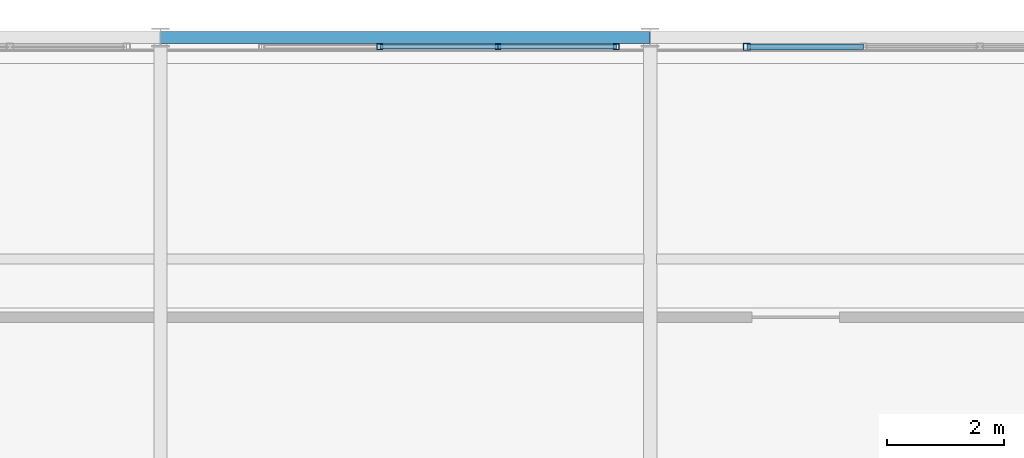
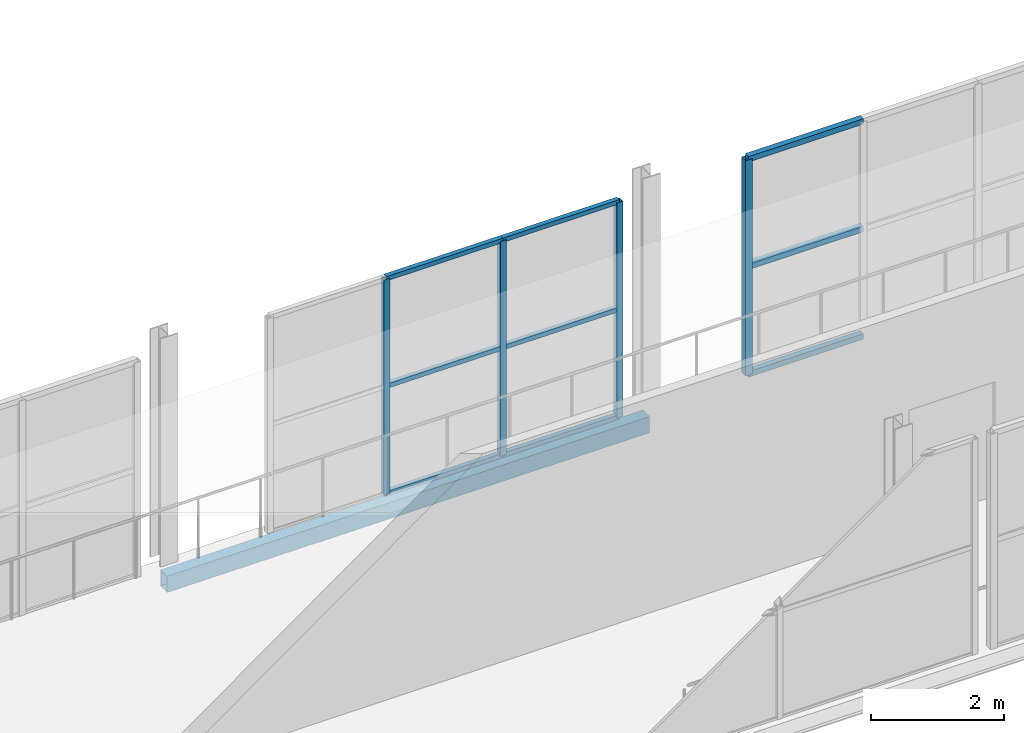
# One storey, part 66 of 151: 13 members, 1 beam, 2 elements without a shape of their own.
"""IFC4 building model written with IfcOpenShell, lengths in metres."""

import ifcopenshell
import ifcopenshell.guid

model = None  # the IFC model being written
_history = None  # IfcOwnerHistory: only IFC2X3 demands one
_inside = {}  # id of a spatial element -> (the spatial element, [elements in it])
_under = {}  # id of a project, library or spatial element -> (it, [spatial elements below it])
_declared = {}  # id of a project -> (the project, [libraries it declares])
_typed = {}  # id of a type object -> (the type object, [elements of that type])
_made_of = {}  # id of a material, layer set ... -> (it, [elements and type objects made of it])


def new_model(schema):
    """Start an empty IFC model of exactly this schema.

    Asked for "IFC4X3", IfcOpenShell would pick the latest addendum, in which some entities
    have other attributes; the version numbers below select the first issue.
    IFC2X3 requires an IfcOwnerHistory on every rooted entity: one is made here for all.
    """
    global model, _history
    if schema == "IFC4X3":
        model = ifcopenshell.file(schema_version=(4, 3, 0, 0))
    else:
        model = ifcopenshell.file(schema=schema)
    _inside.clear()
    _under.clear()
    _declared.clear()
    _typed.clear()
    _made_of.clear()
    _history = None
    if model.schema == "IFC2X3":
        org = make("IfcOrganization", Name="unknown")
        user = make(
            "IfcPersonAndOrganization",
            ThePerson=make("IfcPerson", FamilyName="unknown"),
            TheOrganization=org,
        )
        app = make(
            "IfcApplication",
            ApplicationDeveloper=org,
            Version="unknown",
            ApplicationFullName="unknown",
            ApplicationIdentifier="unknown",
        )
        _history = make(
            "IfcOwnerHistory",
            OwningUser=user,
            OwningApplication=app,
            ChangeAction="ADDED",
            CreationDate=0,
        )
    return model


def make(cls, **values):
    """One entity of the class cls with the attributes given. An attribute that is None is left unset."""
    return model.create_entity(
        cls, **{name: value for name, value in values.items() if value is not None}
    )


def rooted(cls, **values):
    """An entity with a GlobalId (a new one), such as an element, a storey or a relation."""
    return make(cls, GlobalId=ifcopenshell.guid.new(), OwnerHistory=_history, **values)


def si_unit(unit_type, name, prefix=None):
    """IfcSIUnit, for example si_unit("LENGTHUNIT", "METRE", prefix="MILLI")."""
    return make("IfcSIUnit", UnitType=unit_type, Prefix=prefix, Name=name)


def assignment(units):
    """IfcUnitAssignment: the units of a project."""
    return None if units is None else make("IfcUnitAssignment", Units=units)


def point(xyz):
    """IfcCartesianPoint."""
    return None if xyz is None else make("IfcCartesianPoint", Coordinates=xyz)


def direction(xyz):
    """IfcDirection."""
    return None if xyz is None else make("IfcDirection", DirectionRatios=xyz)


def frame(location, z_axis=None, x_axis=None):
    """IfcAxis2Placement3D, a coordinate frame: its origin and axes. An axis left out is left unset."""
    return make(
        "IfcAxis2Placement3D",
        Location=point(location),
        Axis=direction(z_axis),
        RefDirection=direction(x_axis),
    )


def frame_2d(location, x_axis=None):
    """IfcAxis2Placement2D, a coordinate frame in the plane: its origin and x axis."""
    return make(
        "IfcAxis2Placement2D", Location=point(location), RefDirection=direction(x_axis)
    )


def origin():
    """The frame at (0, 0, 0) with its axes left unset."""
    return frame((0.0, 0.0, 0.0))


def origin_2d():
    """The frame at (0, 0) in the plane with its x axis left unset."""
    return frame_2d((0.0, 0.0))


def place(relative_to, where):
    """IfcLocalPlacement: puts the frame where relative to a parent placement (None: the world)."""
    return make(
        "IfcLocalPlacement", PlacementRelTo=relative_to, RelativePlacement=where
    )


def context(
    kind, dimensions, precision=None, world=None, true_north=None, identifier=None
):
    """IfcGeometricRepresentationContext, for example the 3D "Model" context."""
    return make(
        "IfcGeometricRepresentationContext",
        ContextIdentifier=identifier,
        ContextType=kind,
        CoordinateSpaceDimension=dimensions,
        Precision=precision,
        WorldCoordinateSystem=world,
        TrueNorth=true_north,
    )


def subcontext(parent, identifier, kind, view, scale=None):
    """IfcGeometricRepresentationSubContext, for example "Body" below "Model"."""
    return make(
        "IfcGeometricRepresentationSubContext",
        ContextIdentifier=identifier,
        ContextType=kind,
        ParentContext=parent,
        TargetScale=scale,
        TargetView=view,
    )


def project(units=None, contexts=None):
    """IfcProject with its units and contexts."""
    return rooted(
        "IfcProject",
        Name="project",
        RepresentationContexts=contexts,
        UnitsInContext=assignment(units),
    )


def spatial(cls, under=None, at=None, **own):
    """A site, building, storey or space (cls), placed at a placement, below another one or the project."""
    s = rooted(cls, ObjectPlacement=at, **own)
    if under is not None:
        _under.setdefault(under.id(), (under, []))[1].append(s)
    return s


def profile(cls, at=None, kind="AREA", **sizes):
    """A parametric profile (cls). Its sizes go by their IFC names, for example OverallWidth=200.0."""
    return make(cls, ProfileType=kind, Position=at, **sizes)


def hollow_rectangle(**sizes):
    """IfcRectangleHollowProfileDef."""
    return profile("IfcRectangleHollowProfileDef", **sizes)


def extrude(swept, where, along, depth):
    """IfcExtrudedAreaSolid: the profile swept, set in the frame where, extruded along a direction by depth."""
    return make(
        "IfcExtrudedAreaSolid",
        SweptArea=swept,
        Position=where,
        ExtrudedDirection=direction(along),
        Depth=depth,
    )


def shape(context_of_items, identifier, shape_type, items):
    """IfcShapeRepresentation: the items that make up one representation, for example the "Body"."""
    return make(
        "IfcShapeRepresentation",
        ContextOfItems=context_of_items,
        RepresentationIdentifier=identifier,
        RepresentationType=shape_type,
        Items=items,
    )


def material(Name=None, Category=None):
    """IfcMaterial."""
    return make("IfcMaterial", Name=Name, Category=Category)


def material_profile(
    of_material, cross_section, Name=None, Category=None, Priority=None
):
    """IfcMaterialProfile: a cross section and its material."""
    return make(
        "IfcMaterialProfile",
        Name=Name,
        Material=of_material,
        Profile=cross_section,
        Priority=Priority,
        Category=Category,
    )


def profile_set(profiles, Name=None, composite=None):
    """IfcMaterialProfileSet."""
    return make(
        "IfcMaterialProfileSet",
        Name=Name,
        MaterialProfiles=profiles,
        CompositeProfile=composite,
    )


def made_of(thing, what):
    """Note that an element or type object is made of a material, layer set ...; save() writes the relation."""
    if what is not None:
        _made_of.setdefault(what.id(), (what, []))[1].append(thing)
    return thing


def type_object(cls, material=None, **own):
    """A type object (cls), such as IfcWallType, which elements share."""
    return made_of(rooted(cls, **own), material)


def element(
    cls,
    number,
    at=None,
    inside=None,
    cuts=None,
    type_object=None,
    material=None,
    context=None,
    identifier="Body",
    shape_type=None,
    held_by="IfcProductDefinitionShape",
    body=None,
    shapes=None,
    **own,
):
    """One element of the class cls, such as IfcWall. Its Tag is "e" and its number.

    at: its placement. inside: the storey or other place that contains it. cuts: it is an
    opening in that element (IfcRelVoidsElement). A single representation is given by context,
    identifier, shape_type and body (its items); several are given by shapes. held_by: the class
    of the entity that holds the representations. save() writes the other relations.
    """
    e = rooted(cls, Tag="e%d" % number, ObjectPlacement=at, **own)
    if body is not None:
        shapes = [shape(context, identifier, shape_type, body)]
    if shapes is not None:
        e.Representation = make(held_by, Representations=shapes)
    if inside is not None:
        _inside.setdefault(inside.id(), (inside, []))[1].append(e)
    if cuts is not None:
        rooted(
            "IfcRelVoidsElement", RelatingBuildingElement=cuts, RelatedOpeningElement=e
        )
    if type_object is not None:
        _typed.setdefault(type_object.id(), (type_object, []))[1].append(e)
    return made_of(e, material)


def aggregate(whole, parts):
    """IfcRelAggregates: a whole, such as a stair, and the parts it consists of."""
    return rooted("IfcRelAggregates", RelatingObject=whole, RelatedObjects=parts)


def save(model, path):
    """Write the relations noted so far, then the file.

    IfcRelAggregates (storeys below a building ...), IfcRelContainedInSpatialStructure (elements
    in a storey), IfcRelDefinesByType, IfcRelAssociatesMaterial and IfcRelDeclares: one each for
    every whole, place, type object, material and project.
    """
    for whole, parts in _under.values():
        aggregate(whole, parts)
    for where, things in _inside.values():
        rooted(
            "IfcRelContainedInSpatialStructure",
            RelatedElements=things,
            RelatingStructure=where,
        )
    for kind, things in _typed.values():
        rooted("IfcRelDefinesByType", RelatedObjects=things, RelatingType=kind)
    for what, things in _made_of.values():
        rooted("IfcRelAssociatesMaterial", RelatedObjects=things, RelatingMaterial=what)
    for by, libraries in _declared.values():
        rooted("IfcRelDeclares", RelatingContext=by, RelatedDefinitions=libraries)
    model.write(path)


model = new_model("IFC4")

# Units and contexts
model_context = context("Model", 3, precision=1e-05, world=origin(), true_north=direction((0.0, 1.0)))
body_context = subcontext(model_context, "Body", "Model", "MODEL_VIEW")
ifc_project = project(units=[si_unit("LENGTHUNIT", "METRE"), si_unit("AREAUNIT", "SQUARE_METRE"), si_unit("VOLUMEUNIT", "CUBIC_METRE"), si_unit("PLANEANGLEUNIT", "RADIAN"), si_unit("MASSUNIT", "GRAM", prefix="KILO")], contexts=[model_context])

# Site, building, storey
site_placement = place(None, origin())
site = spatial("IfcSite", under=ifc_project, at=site_placement, CompositionType="ELEMENT")
building_placement = place(site_placement, origin())
building = spatial("IfcBuilding", under=site, at=building_placement, Name="Zuvorla Pavilion Media Centre", CompositionType="ELEMENT")
storey_placement = place(building_placement, frame((0.0, 0.0, 13.800048828125)))
storey = spatial("IfcBuildingStorey", under=building, at=storey_placement, Name="L03", CompositionType="ELEMENT", Elevation=13.800048828125)

# Beam
ifc_material_1 = material(Name="Steel S355", Category="steel")
ifc_material_profile_1 = material_profile(ifc_material_1, hollow_rectangle(XDim=0.199951171875, YDim=0.300048828125, WallThickness=0.012451171875, at=origin_2d()), Name="RHS 300x200x12.5")
ifc_profile_set_1 = profile_set([ifc_material_profile_1], Name="Steel S355")
beam_type = type_object("IfcBeamType", Name="BM-SP-RHS300", PredefinedType="SPANDREL", material=ifc_profile_set_1)
beam_placement = place(storey_placement, frame((50.0, 89.60009765625, -0.407958984375), z_axis=(1.0, 0.0, 0.0), x_axis=(0.0, 1.0, 0.0)))
element("IfcBeam", 1, at=beam_placement, inside=storey, type_object=beam_type, Name="L03 spandrel SP01 1135", PredefinedType="SPANDREL", context=body_context, shape_type="SweptSolid", body=[
    extrude(hollow_rectangle(XDim=0.199951171875, YDim=0.300048828125, WallThickness=0.012451171875, at=origin_2d()), origin(), (0.0, 0.0, 1.0), 8.39990234375),
])

# Curtain wall, members
ifc_material_2 = material(Name="Unitised anodised aluminium and solar glass curtain wall", Category="aluminium")
curtain_wall_type_1 = type_object("IfcCurtainWallType", Name="CW-SYS-65", PredefinedType="USERDEFINED", material=ifc_material_2)
curtain_wall_1_placement = place(storey_placement, origin())
curtain_wall_1 = element("IfcCurtainWall", 2, at=curtain_wall_1_placement, inside=storey, type_object=curtain_wall_type_1, Name="L03 curtain wall CW65 117", ObjectType="CURTAIN WALL", PredefinedType="USERDEFINED")
ifc_material_3 = material(Name="Anodised aluminium 6063-T6", Category="aluminium")
ifc_material_profile_2 = material_profile(ifc_material_3, hollow_rectangle(XDim=0.10009765625, YDim=0.10009765625, WallThickness=0.00439453125, at=origin_2d()), Name="ALU MULL 100x100")
ifc_profile_set_2 = profile_set([ifc_material_profile_2], Name="Anodised aluminium 6063-T6")
member_type_1 = type_object("IfcMemberType", Name="CW-MULL-100", PredefinedType="MULLION", material=ifc_profile_set_2)
member_1_placement = place(storey_placement, frame((57.818115234375, 89.43994140625, 0.0), z_axis=(0.0, 0.0, 1.0), x_axis=(1.0, 0.0, 0.0)))
member_1 = element("IfcMember", 3, at=member_1_placement, type_object=member_type_1, Name="CW65 mullion 1", PredefinedType="MULLION", context=body_context, shape_type="SweptSolid", body=[
    extrude(hollow_rectangle(XDim=0.10009765625, YDim=0.10009765625, WallThickness=0.00439453125, at=origin_2d()), origin(), (0.0, 0.0, 1.0), 3.9599609375),
])
member_2_placement = place(storey_placement, frame((55.790283203125, 89.43994140625, 0.0), z_axis=(0.0, 0.0, 1.0), x_axis=(1.0, 0.0, 0.0)))
member_2 = element("IfcMember", 4, at=member_2_placement, type_object=member_type_1, Name="CW65 mullion 2", PredefinedType="MULLION", context=body_context, shape_type="SweptSolid", body=[
    extrude(hollow_rectangle(XDim=0.10009765625, YDim=0.10009765625, WallThickness=0.00439453125, at=origin_2d()), origin(), (0.0, 0.0, 1.0), 3.9599609375),
])
member_3_placement = place(storey_placement, frame((53.7626953125, 89.43994140625, 0.0), z_axis=(0.0, 0.0, 1.0), x_axis=(1.0, 0.0, 0.0)))
member_3 = element("IfcMember", 5, at=member_3_placement, type_object=member_type_1, Name="CW65 mullion 3", PredefinedType="MULLION", context=body_context, shape_type="SweptSolid", body=[
    extrude(hollow_rectangle(XDim=0.10009765625, YDim=0.10009765625, WallThickness=0.00439453125, at=origin_2d()), origin(), (0.0, 0.0, 1.0), 3.9599609375),
])

curtain_wall_type_2 = type_object("IfcCurtainWallType", Name="CW-SYS-08", PredefinedType="USERDEFINED", material=ifc_material_2)
curtain_wall_2_placement = place(storey_placement, origin())
curtain_wall_2 = element("IfcCurtainWall", 6, at=curtain_wall_2_placement, inside=storey, type_object=curtain_wall_type_2, Name="L03 curtain wall CW08 116", ObjectType="CURTAIN WALL", PredefinedType="USERDEFINED")
ifc_material_profile_3 = material_profile(ifc_material_3, hollow_rectangle(XDim=0.1201171875, YDim=0.1201171875, WallThickness=0.0048828125, at=origin_2d()), Name="ALU MULL 120x120")
ifc_profile_set_3 = profile_set([ifc_material_profile_3], Name="Anodised aluminium 6063-T6")
member_type_2 = type_object("IfcMemberType", Name="CW-MULL-120", PredefinedType="MULLION", material=ifc_profile_set_3)
member_4_placement = place(storey_placement, frame((60.06005859375, 89.43994140625, 0.0), z_axis=(0.0, 0.0, 1.0), x_axis=(1.0, 0.0, 0.0)))
member_4 = element("IfcMember", 7, at=member_4_placement, type_object=member_type_2, Name="CW08 mullion 4", PredefinedType="MULLION", context=body_context, shape_type="SweptSolid", body=[
    extrude(hollow_rectangle(XDim=0.1201171875, YDim=0.1201171875, WallThickness=0.0048828125, at=origin_2d()), origin(), (0.0, 0.0, 1.0), 3.9599609375),
])
ifc_material_profile_4 = material_profile(ifc_material_3, hollow_rectangle(XDim=0.10009765625, YDim=0.10009765625, WallThickness=0.00439453125, at=origin_2d()), Name="ALU TRAN 100x100")
ifc_profile_set_4 = profile_set([ifc_material_profile_4], Name="Anodised aluminium 6063-T6")
member_type_3 = type_object("IfcMemberType", Name="CW-TRAN-100", PredefinedType="USERDEFINED", material=ifc_profile_set_4)
member_5_placement = place(storey_placement, frame((62.05859375, 89.43994140625, 0.0), z_axis=(-1.0, 0.0, 0.0), x_axis=(0.0, -1.0, 0.0)))
member_5 = element("IfcMember", 8, at=member_5_placement, type_object=member_type_3, Name="CW08 transom 3.1", ObjectType="TRANSOM", PredefinedType="USERDEFINED", context=body_context, shape_type="SweptSolid", body=[
    extrude(hollow_rectangle(XDim=0.10009765625, YDim=0.10009765625, WallThickness=0.00439453125, at=origin_2d()), origin(), (0.0, 0.0, 1.0), 1.99853515625),
])
member_6_placement = place(storey_placement, frame((62.05859375, 89.43994140625, 1.97998046875), z_axis=(-1.0, 0.0, 0.0), x_axis=(0.0, -1.0, 0.0)))
member_6 = element("IfcMember", 9, at=member_6_placement, type_object=member_type_3, Name="CW08 transom 3.2", ObjectType="TRANSOM", PredefinedType="USERDEFINED", context=body_context, shape_type="SweptSolid", body=[
    extrude(hollow_rectangle(XDim=0.10009765625, YDim=0.10009765625, WallThickness=0.00439453125, at=origin_2d()), origin(), (0.0, 0.0, 1.0), 1.99853515625),
])
member_7_placement = place(storey_placement, frame((62.05859375, 89.43994140625, 3.9599609375), z_axis=(-1.0, 0.0, 0.0), x_axis=(0.0, -1.0, 0.0)))
member_7 = element("IfcMember", 10, at=member_7_placement, type_object=member_type_3, Name="CW08 transom 3.3", ObjectType="TRANSOM", PredefinedType="USERDEFINED", context=body_context, shape_type="SweptSolid", body=[
    extrude(hollow_rectangle(XDim=0.10009765625, YDim=0.10009765625, WallThickness=0.00439453125, at=origin_2d()), origin(), (0.0, 0.0, 1.0), 1.99853515625),
])
aggregate(curtain_wall_2, [member_4, member_5, member_6, member_7])

# Member
ifc_material_profile_5 = material_profile(ifc_material_3, hollow_rectangle(XDim=0.080078125, YDim=0.080078125, WallThickness=0.00390625, at=origin_2d()), Name="ALU TRAN 80x80")
ifc_profile_set_5 = profile_set([ifc_material_profile_5], Name="Anodised aluminium 6063-T6")
member_type_4 = type_object("IfcMemberType", Name="CW-TRAN-80", PredefinedType="USERDEFINED", material=ifc_profile_set_5)
member_8_placement = place(storey_placement, frame((57.818115234375, 89.43994140625, 0.0), z_axis=(-1.0, 0.0, 0.0), x_axis=(0.0, -1.0, 0.0)))
member_8 = element("IfcMember", 11, at=member_8_placement, type_object=member_type_4, Name="CW65 transom 1.1", ObjectType="TRANSOM", PredefinedType="USERDEFINED", context=body_context, shape_type="SweptSolid", body=[
    extrude(hollow_rectangle(XDim=0.080078125, YDim=0.080078125, WallThickness=0.00390625, at=origin_2d()), origin(), (0.0, 0.0, 1.0), 2.02783203125),
])

member_9_placement = place(storey_placement, frame((57.818115234375, 89.43994140625, 1.97998046875), z_axis=(-1.0, 0.0, 0.0), x_axis=(0.0, -1.0, 0.0)))
member_9 = element("IfcMember", 12, at=member_9_placement, type_object=member_type_4, Name="CW65 transom 1.2", ObjectType="TRANSOM", PredefinedType="USERDEFINED", context=body_context, shape_type="SweptSolid", body=[
    extrude(hollow_rectangle(XDim=0.080078125, YDim=0.080078125, WallThickness=0.00390625, at=origin_2d()), origin(), (0.0, 0.0, 1.0), 2.02783203125),
])

member_10_placement = place(storey_placement, frame((57.818115234375, 89.43994140625, 3.9599609375), z_axis=(-1.0, 0.0, 0.0), x_axis=(0.0, -1.0, 0.0)))
member_10 = element("IfcMember", 13, at=member_10_placement, type_object=member_type_4, Name="CW65 transom 1.3", ObjectType="TRANSOM", PredefinedType="USERDEFINED", context=body_context, shape_type="SweptSolid", body=[
    extrude(hollow_rectangle(XDim=0.080078125, YDim=0.080078125, WallThickness=0.00390625, at=origin_2d()), origin(), (0.0, 0.0, 1.0), 2.02783203125),
])

member_11_placement = place(storey_placement, frame((55.790283203125, 89.43994140625, 0.0), z_axis=(-1.0, 0.0, 0.0), x_axis=(0.0, -1.0, 0.0)))
member_11 = element("IfcMember", 14, at=member_11_placement, type_object=member_type_4, Name="CW65 transom 2.1", ObjectType="TRANSOM", PredefinedType="USERDEFINED", context=body_context, shape_type="SweptSolid", body=[
    extrude(hollow_rectangle(XDim=0.080078125, YDim=0.080078125, WallThickness=0.00390625, at=origin_2d()), origin(), (0.0, 0.0, 1.0), 2.027587890625),
])

member_12_placement = place(storey_placement, frame((55.790283203125, 89.43994140625, 1.97998046875), z_axis=(-1.0, 0.0, 0.0), x_axis=(0.0, -1.0, 0.0)))
member_12 = element("IfcMember", 15, at=member_12_placement, type_object=member_type_4, Name="CW65 transom 2.2", ObjectType="TRANSOM", PredefinedType="USERDEFINED", context=body_context, shape_type="SweptSolid", body=[
    extrude(hollow_rectangle(XDim=0.080078125, YDim=0.080078125, WallThickness=0.00390625, at=origin_2d()), origin(), (0.0, 0.0, 1.0), 2.027587890625),
])

member_13_placement = place(storey_placement, frame((55.790283203125, 89.43994140625, 3.9599609375), z_axis=(-1.0, 0.0, 0.0), x_axis=(0.0, -1.0, 0.0)))
member_13 = element("IfcMember", 16, at=member_13_placement, type_object=member_type_4, Name="CW65 transom 2.3", ObjectType="TRANSOM", PredefinedType="USERDEFINED", context=body_context, shape_type="SweptSolid", body=[
    extrude(hollow_rectangle(XDim=0.080078125, YDim=0.080078125, WallThickness=0.00390625, at=origin_2d()), origin(), (0.0, 0.0, 1.0), 2.027587890625),
])

aggregate(curtain_wall_1, [member_1, member_2, member_3, member_8, member_9, member_10, member_11, member_12, member_13])

save(model, "model.ifc")
